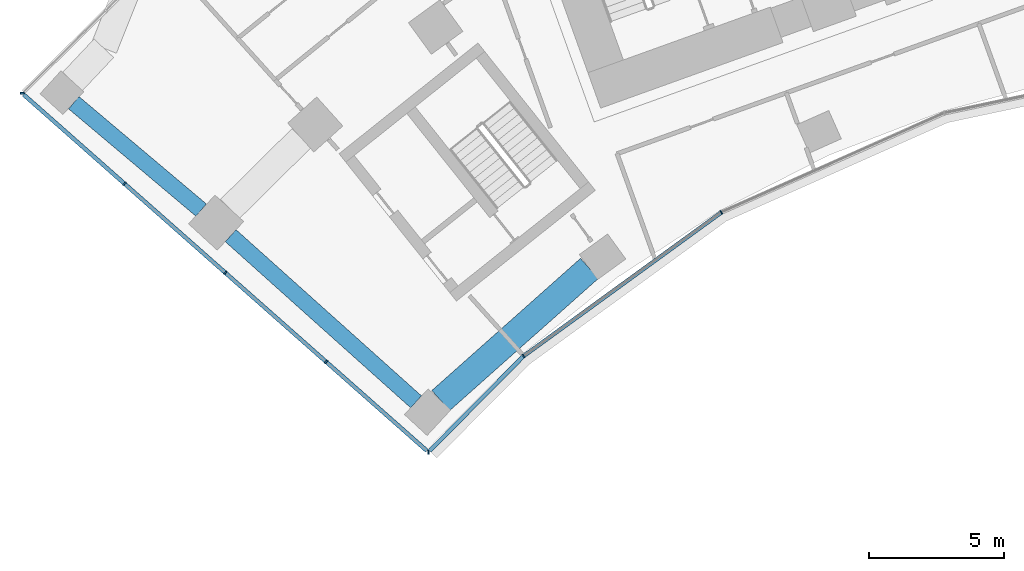
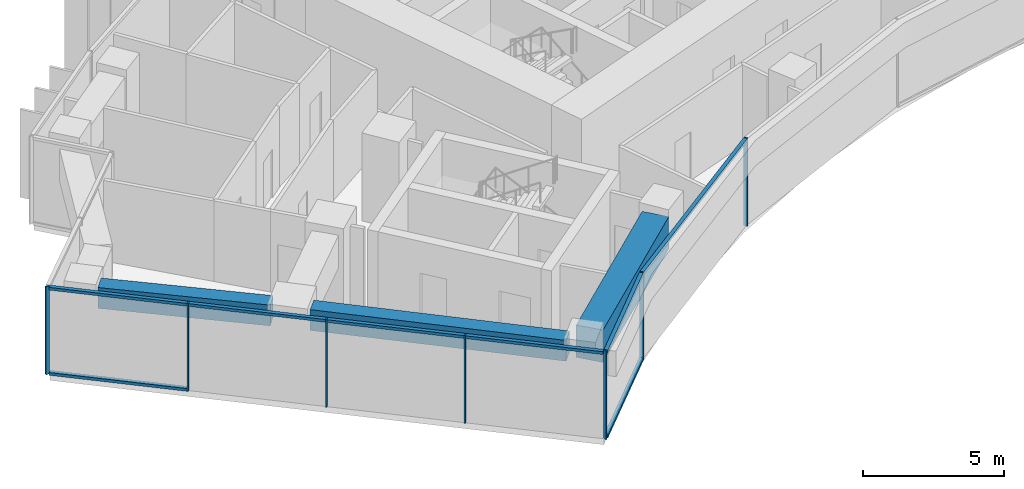
# One storey, part 2 of 22: 15 members, 3 beams, 2 elements without a shape of their own.
"""IFC4 building model written with IfcOpenShell, lengths in metres."""

import ifcopenshell
import ifcopenshell.guid

model = None  # the IFC model being written
_history = None  # IfcOwnerHistory: only IFC2X3 demands one
_inside = {}  # id of a spatial element -> (the spatial element, [elements in it])
_under = {}  # id of a project, library or spatial element -> (it, [spatial elements below it])
_declared = {}  # id of a project -> (the project, [libraries it declares])
_typed = {}  # id of a type object -> (the type object, [elements of that type])
_made_of = {}  # id of a material, layer set ... -> (it, [elements and type objects made of it])


def new_model(schema):
    """Start an empty IFC model of exactly this schema.

    Asked for "IFC4X3", IfcOpenShell would pick the latest addendum, in which some entities
    have other attributes; the version numbers below select the first issue.
    IFC2X3 requires an IfcOwnerHistory on every rooted entity: one is made here for all.
    """
    global model, _history
    if schema == "IFC4X3":
        model = ifcopenshell.file(schema_version=(4, 3, 0, 0))
    else:
        model = ifcopenshell.file(schema=schema)
    _inside.clear()
    _under.clear()
    _declared.clear()
    _typed.clear()
    _made_of.clear()
    _history = None
    if model.schema == "IFC2X3":
        org = make("IfcOrganization", Name="unknown")
        user = make(
            "IfcPersonAndOrganization",
            ThePerson=make("IfcPerson", FamilyName="unknown"),
            TheOrganization=org,
        )
        app = make(
            "IfcApplication",
            ApplicationDeveloper=org,
            Version="unknown",
            ApplicationFullName="unknown",
            ApplicationIdentifier="unknown",
        )
        _history = make(
            "IfcOwnerHistory",
            OwningUser=user,
            OwningApplication=app,
            ChangeAction="ADDED",
            CreationDate=0,
        )
    return model


def make(cls, **values):
    """One entity of the class cls with the attributes given. An attribute that is None is left unset."""
    return model.create_entity(
        cls, **{name: value for name, value in values.items() if value is not None}
    )


def rooted(cls, **values):
    """An entity with a GlobalId (a new one), such as an element, a storey or a relation."""
    return make(cls, GlobalId=ifcopenshell.guid.new(), OwnerHistory=_history, **values)


def si_unit(unit_type, name, prefix=None):
    """IfcSIUnit, for example si_unit("LENGTHUNIT", "METRE", prefix="MILLI")."""
    return make("IfcSIUnit", UnitType=unit_type, Prefix=prefix, Name=name)


def assignment(units):
    """IfcUnitAssignment: the units of a project."""
    return None if units is None else make("IfcUnitAssignment", Units=units)


def point(xyz):
    """IfcCartesianPoint."""
    return None if xyz is None else make("IfcCartesianPoint", Coordinates=xyz)


def direction(xyz):
    """IfcDirection."""
    return None if xyz is None else make("IfcDirection", DirectionRatios=xyz)


def frame(location, z_axis=None, x_axis=None):
    """IfcAxis2Placement3D, a coordinate frame: its origin and axes. An axis left out is left unset."""
    return make(
        "IfcAxis2Placement3D",
        Location=point(location),
        Axis=direction(z_axis),
        RefDirection=direction(x_axis),
    )


def frame_2d(location, x_axis=None):
    """IfcAxis2Placement2D, a coordinate frame in the plane: its origin and x axis."""
    return make(
        "IfcAxis2Placement2D", Location=point(location), RefDirection=direction(x_axis)
    )


def origin():
    """The frame at (0, 0, 0) with its axes left unset."""
    return frame((0.0, 0.0, 0.0))


def origin_2d():
    """The frame at (0, 0) in the plane with its x axis left unset."""
    return frame_2d((0.0, 0.0))


def place(relative_to, where):
    """IfcLocalPlacement: puts the frame where relative to a parent placement (None: the world)."""
    return make(
        "IfcLocalPlacement", PlacementRelTo=relative_to, RelativePlacement=where
    )


def context(
    kind, dimensions, precision=None, world=None, true_north=None, identifier=None
):
    """IfcGeometricRepresentationContext, for example the 3D "Model" context."""
    return make(
        "IfcGeometricRepresentationContext",
        ContextIdentifier=identifier,
        ContextType=kind,
        CoordinateSpaceDimension=dimensions,
        Precision=precision,
        WorldCoordinateSystem=world,
        TrueNorth=true_north,
    )


def subcontext(parent, identifier, kind, view, scale=None):
    """IfcGeometricRepresentationSubContext, for example "Body" below "Model"."""
    return make(
        "IfcGeometricRepresentationSubContext",
        ContextIdentifier=identifier,
        ContextType=kind,
        ParentContext=parent,
        TargetScale=scale,
        TargetView=view,
    )


def project(units=None, contexts=None):
    """IfcProject with its units and contexts."""
    return rooted(
        "IfcProject",
        Name="project",
        RepresentationContexts=contexts,
        UnitsInContext=assignment(units),
    )


def spatial(cls, under=None, at=None, **own):
    """A site, building, storey or space (cls), placed at a placement, below another one or the project."""
    s = rooted(cls, ObjectPlacement=at, **own)
    if under is not None:
        _under.setdefault(under.id(), (under, []))[1].append(s)
    return s


def profile(cls, at=None, kind="AREA", **sizes):
    """A parametric profile (cls). Its sizes go by their IFC names, for example OverallWidth=200.0."""
    return make(cls, ProfileType=kind, Position=at, **sizes)


def rectangle(**sizes):
    """IfcRectangleProfileDef."""
    return profile("IfcRectangleProfileDef", **sizes)


def extrude(swept, where, along, depth):
    """IfcExtrudedAreaSolid: the profile swept, set in the frame where, extruded along a direction by depth."""
    return make(
        "IfcExtrudedAreaSolid",
        SweptArea=swept,
        Position=where,
        ExtrudedDirection=direction(along),
        Depth=depth,
    )


def shape(context_of_items, identifier, shape_type, items):
    """IfcShapeRepresentation: the items that make up one representation, for example the "Body"."""
    return make(
        "IfcShapeRepresentation",
        ContextOfItems=context_of_items,
        RepresentationIdentifier=identifier,
        RepresentationType=shape_type,
        Items=items,
    )


def material(Name=None, Category=None):
    """IfcMaterial."""
    return make("IfcMaterial", Name=Name, Category=Category)


def layer(
    of_material, thickness, ventilated=None, Name=None, Category=None, Priority=None
):
    """IfcMaterialLayer: one layer of a wall or slab, of a material (None: an air gap)."""
    return make(
        "IfcMaterialLayer",
        Material=of_material,
        LayerThickness=thickness,
        IsVentilated=ventilated,
        Name=Name,
        Category=Category,
        Priority=Priority,
    )


def layer_set(layers, Name=None):
    """IfcMaterialLayerSet."""
    return make("IfcMaterialLayerSet", MaterialLayers=layers, LayerSetName=Name)


def material_profile(
    of_material, cross_section, Name=None, Category=None, Priority=None
):
    """IfcMaterialProfile: a cross section and its material."""
    return make(
        "IfcMaterialProfile",
        Name=Name,
        Material=of_material,
        Profile=cross_section,
        Priority=Priority,
        Category=Category,
    )


def profile_set(profiles, Name=None, composite=None):
    """IfcMaterialProfileSet."""
    return make(
        "IfcMaterialProfileSet",
        Name=Name,
        MaterialProfiles=profiles,
        CompositeProfile=composite,
    )


def made_of(thing, what):
    """Note that an element or type object is made of a material, layer set ...; save() writes the relation."""
    if what is not None:
        _made_of.setdefault(what.id(), (what, []))[1].append(thing)
    return thing


def type_object(cls, material=None, **own):
    """A type object (cls), such as IfcWallType, which elements share."""
    return made_of(rooted(cls, **own), material)


def element(
    cls,
    number,
    at=None,
    inside=None,
    cuts=None,
    type_object=None,
    material=None,
    context=None,
    identifier="Body",
    shape_type=None,
    held_by="IfcProductDefinitionShape",
    body=None,
    shapes=None,
    **own,
):
    """One element of the class cls, such as IfcWall. Its Tag is "e" and its number.

    at: its placement. inside: the storey or other place that contains it. cuts: it is an
    opening in that element (IfcRelVoidsElement). A single representation is given by context,
    identifier, shape_type and body (its items); several are given by shapes. held_by: the class
    of the entity that holds the representations. save() writes the other relations.
    """
    e = rooted(cls, Tag="e%d" % number, ObjectPlacement=at, **own)
    if body is not None:
        shapes = [shape(context, identifier, shape_type, body)]
    if shapes is not None:
        e.Representation = make(held_by, Representations=shapes)
    if inside is not None:
        _inside.setdefault(inside.id(), (inside, []))[1].append(e)
    if cuts is not None:
        rooted(
            "IfcRelVoidsElement", RelatingBuildingElement=cuts, RelatedOpeningElement=e
        )
    if type_object is not None:
        _typed.setdefault(type_object.id(), (type_object, []))[1].append(e)
    return made_of(e, material)


def aggregate(whole, parts):
    """IfcRelAggregates: a whole, such as a stair, and the parts it consists of."""
    return rooted("IfcRelAggregates", RelatingObject=whole, RelatedObjects=parts)


def save(model, path):
    """Write the relations noted so far, then the file.

    IfcRelAggregates (storeys below a building ...), IfcRelContainedInSpatialStructure (elements
    in a storey), IfcRelDefinesByType, IfcRelAssociatesMaterial and IfcRelDeclares: one each for
    every whole, place, type object, material and project.
    """
    for whole, parts in _under.values():
        aggregate(whole, parts)
    for where, things in _inside.values():
        rooted(
            "IfcRelContainedInSpatialStructure",
            RelatedElements=things,
            RelatingStructure=where,
        )
    for kind, things in _typed.values():
        rooted("IfcRelDefinesByType", RelatedObjects=things, RelatingType=kind)
    for what, things in _made_of.values():
        rooted("IfcRelAssociatesMaterial", RelatedObjects=things, RelatingMaterial=what)
    for by, libraries in _declared.values():
        rooted("IfcRelDeclares", RelatingContext=by, RelatedDefinitions=libraries)
    model.write(path)


model = new_model("IFC4")

# Units and contexts
model_context = context("Model", 3, precision=1e-05, world=origin(), true_north=direction((0.0, 1.0)))
body_context = subcontext(model_context, "Body", "Model", "MODEL_VIEW")
ifc_project = project(units=[si_unit("LENGTHUNIT", "METRE"), si_unit("AREAUNIT", "SQUARE_METRE"), si_unit("VOLUMEUNIT", "CUBIC_METRE"), si_unit("PLANEANGLEUNIT", "RADIAN"), si_unit("MASSUNIT", "GRAM", prefix="KILO")], contexts=[model_context])

# Site, building, storey
site_placement = place(None, origin())
site = spatial("IfcSite", under=ifc_project, at=site_placement, CompositionType="ELEMENT")
building_placement = place(site_placement, origin())
building = spatial("IfcBuilding", under=site, at=building_placement, Name="Stone Belt Terrace Tower", CompositionType="ELEMENT")
storey_placement = place(building_placement, frame((0.0, 0.0, 121.199951171875)))
storey = spatial("IfcBuildingStorey", under=building, at=storey_placement, Name="L29", CompositionType="ELEMENT", Elevation=121.199951171875)

# Curtain wall, members
ifc_material_1 = material(Name="Aluminium 6063-T6 anodised frame", Category="aluminium")
ifc_layer_1 = layer(ifc_material_1, 0.14990234375)
ifc_layer_set_1 = layer_set([ifc_layer_1], Name="CW-B unitised concave-face curtain wall")
curtain_wall_type_1 = type_object("IfcCurtainWallType", Name="CW-B unitised concave-face curtain wall", PredefinedType="NOTDEFINED", material=ifc_layer_set_1)
curtain_wall_1_placement = place(storey_placement, origin())
curtain_wall_1 = element("IfcCurtainWall", 1, at=curtain_wall_1_placement, inside=storey, type_object=curtain_wall_type_1, Name="CW-B concave face L29", PredefinedType="NOTDEFINED")
ifc_material_profile_1 = material_profile(ifc_material_1, rectangle(XDim=0.14990234375, YDim=0.050048828125, at=origin_2d()), Name="Aluminium 6063-T6 50x150")
ifc_profile_set_1 = profile_set([ifc_material_profile_1], Name="Aluminium 6063-T6 anodised frame")
member_type_1 = type_object("IfcMemberType", Name="CW-B mullion 50 x 150", PredefinedType="MULLION", material=ifc_profile_set_1)
member_1_placement = place(storey_placement, frame((-32.598876953125, 28.695068359375, 0.0), z_axis=(0.0, 0.0, 1.0), x_axis=(-0.03330979067, 0.999445074952, 0.0)))
member_1 = element("IfcMember", 2, at=member_1_placement, type_object=member_type_1, Name="CW-B mullion 1", PredefinedType="MULLION", context=body_context, shape_type="SweptSolid", body=[
    extrude(rectangle(XDim=0.14990234375, YDim=0.050048828125, at=origin_2d()), origin(), (0.0, 0.0, 1.0), 3.800048828125),
])
member_2_placement = place(storey_placement, frame((-29.05810546875, 32.269775390625, 0.0), z_axis=(0.0, 0.0, 1.0), x_axis=(-0.651254965366, 0.758858992229, 0.0)))
member_2 = element("IfcMember", 3, at=member_2_placement, type_object=member_type_1, Name="CW-B mullion 2", PredefinedType="MULLION", context=body_context, shape_type="SweptSolid", body=[
    extrude(rectangle(XDim=0.14990234375, YDim=0.050048828125, at=origin_2d()), origin(), (0.0, 0.0, 1.0), 3.800048828125),
])
member_3_placement = place(storey_placement, frame((-21.71240234375, 37.606689453125, 0.0), z_axis=(0.0, 0.0, 1.0), x_axis=(-0.5, 0.866025403784, 0.0)))
member_3 = element("IfcMember", 4, at=member_3_placement, type_object=member_type_1, Name="CW-B mullion 3", PredefinedType="MULLION", context=body_context, shape_type="SweptSolid", body=[
    extrude(rectangle(XDim=0.14990234375, YDim=0.050048828125, at=origin_2d()), origin(), (0.0, 0.0, 1.0), 3.800048828125),
])
ifc_material_profile_2 = material_profile(ifc_material_1, rectangle(XDim=0.14990234375, YDim=0.1201171875, at=origin_2d()), Name="Aluminium 6063-T6 150x120")
ifc_profile_set_2 = profile_set([ifc_material_profile_2], Name="Aluminium 6063-T6 anodised frame")
member_type_2 = type_object("IfcMemberType", Name="CW-B transom 120 x 150", PredefinedType="USERDEFINED", material=ifc_profile_set_2)
member_4_placement = place(storey_placement, frame((-32.5498046875, 28.74462890625, 0.06005859375), z_axis=(0.703706870473, 0.710490422489, 0.0), x_axis=(-0.710490422489, 0.703706870473, 0.0)))
member_4 = element("IfcMember", 5, at=member_4_placement, type_object=member_type_2, Name="CW-B transom 1.1", ObjectType="TRANSOM", PredefinedType="USERDEFINED", context=body_context, shape_type="SweptSolid", body=[
    extrude(rectangle(XDim=0.14990234375, YDim=0.1201171875, at=origin_2d()), origin(), (0.0, 0.0, 1.0), 4.9306640625),
])
member_5_placement = place(storey_placement, frame((-32.5498046875, 28.74462890625, 3.739990234375), z_axis=(0.703706870473, 0.710490422489, 0.0), x_axis=(-0.710490422489, 0.703706870473, 0.0)))
member_5 = element("IfcMember", 6, at=member_5_placement, type_object=member_type_2, Name="CW-B transom 1.2", ObjectType="TRANSOM", PredefinedType="USERDEFINED", context=body_context, shape_type="SweptSolid", body=[
    extrude(rectangle(XDim=0.14990234375, YDim=0.1201171875, at=origin_2d()), origin(), (0.0, 0.0, 1.0), 4.9306640625),
])
member_6_placement = place(storey_placement, frame((-29.033203125, 32.287841796875, 3.739990234375), z_axis=(0.809012328764, 0.587791673901, 0.0), x_axis=(-0.587791673901, 0.809012328764, 0.0)))
member_6 = element("IfcMember", 7, at=member_6_placement, type_object=member_type_2, Name="CW-B transom 2.1", ObjectType="TRANSOM", PredefinedType="USERDEFINED", context=body_context, shape_type="SweptSolid", body=[
    extrude(rectangle(XDim=0.14990234375, YDim=0.1201171875, at=origin_2d()), origin(), (0.0, 0.0, 1.0), 9.016357421875),
])
aggregate(curtain_wall_1, [member_1, member_2, member_3, member_4, member_5, member_6])

ifc_layer_2 = layer(ifc_material_1, 0.14990234375)
ifc_layer_set_2 = layer_set([ifc_layer_2], Name="CW-C stick curtain wall, horn ends and notches")
curtain_wall_type_2 = type_object("IfcCurtainWallType", Name="CW-C stick curtain wall, horn ends and notches", PredefinedType="NOTDEFINED", material=ifc_layer_set_2)
curtain_wall_2_placement = place(storey_placement, origin())
curtain_wall_2 = element("IfcCurtainWall", 8, at=curtain_wall_2_placement, inside=storey, type_object=curtain_wall_type_2, Name="CW-C end face L29", PredefinedType="NOTDEFINED")
ifc_material_profile_3 = material_profile(ifc_material_1, rectangle(XDim=0.14990234375, YDim=0.06005859375, at=origin_2d()), Name="Aluminium 6063-T6 60x150")
ifc_profile_set_3 = profile_set([ifc_material_profile_3], Name="Aluminium 6063-T6 anodised frame")
member_type_3 = type_object("IfcMemberType", Name="CW-C mullion 60 x 150", PredefinedType="MULLION", material=ifc_profile_set_3)
member_7_placement = place(storey_placement, frame((-47.70166015625, 42.035888671875, 0.0), z_axis=(0.0, 0.0, 1.0), x_axis=(0.99960690559, 0.02803630319, 0.0)))
member_7 = element("IfcMember", 9, at=member_7_placement, type_object=member_type_3, Name="CW-C mullion 1", PredefinedType="MULLION", context=body_context, shape_type="SweptSolid", body=[
    extrude(rectangle(XDim=0.14990234375, YDim=0.06005859375, at=origin_2d()), origin(), (0.0, 0.0, 1.0), 3.800048828125),
])
member_8_placement = place(storey_placement, frame((-43.89404296875, 38.672607421875, 0.0), z_axis=(0.0, 0.0, 1.0), x_axis=(0.662029635427, 0.749477659318, 0.0)))
member_8 = element("IfcMember", 10, at=member_8_placement, type_object=member_type_3, Name="CW-C mullion 2", PredefinedType="MULLION", context=body_context, shape_type="SweptSolid", body=[
    extrude(rectangle(XDim=0.14990234375, YDim=0.06005859375, at=origin_2d()), origin(), (0.0, 0.0, 1.0), 3.800048828125),
])
member_9_placement = place(storey_placement, frame((-40.146728515625, 35.3623046875, 0.0), z_axis=(0.0, 0.0, 1.0), x_axis=(0.662029635427, 0.749477659318, 0.0)))
member_9 = element("IfcMember", 11, at=member_9_placement, type_object=member_type_3, Name="CW-C mullion 3", PredefinedType="MULLION", context=body_context, shape_type="SweptSolid", body=[
    extrude(rectangle(XDim=0.14990234375, YDim=0.06005859375, at=origin_2d()), origin(), (0.0, 0.0, 1.0), 3.800048828125),
])
member_10_placement = place(storey_placement, frame((-36.3994140625, 32.05224609375, 0.0), z_axis=(0.0, 0.0, 1.0), x_axis=(0.662029635427, 0.749477659318, 0.0)))
member_10 = element("IfcMember", 12, at=member_10_placement, type_object=member_type_3, Name="CW-C mullion 4", PredefinedType="MULLION", context=body_context, shape_type="SweptSolid", body=[
    extrude(rectangle(XDim=0.14990234375, YDim=0.06005859375, at=origin_2d()), origin(), (0.0, 0.0, 1.0), 3.800048828125),
])
ifc_material_profile_4 = material_profile(ifc_material_1, rectangle(XDim=0.14990234375, YDim=0.1201171875, at=origin_2d()), Name="Aluminium 6063-T6 150x120")
ifc_profile_set_4 = profile_set([ifc_material_profile_4], Name="Aluminium 6063-T6 anodised frame")
member_type_4 = type_object("IfcMemberType", Name="CW-C transom 120 x 150", PredefinedType="USERDEFINED", material=ifc_profile_set_4)
member_11_placement = place(storey_placement, frame((-47.645263671875, 41.986083984375, 0.06005859375), z_axis=(0.749476864033, -0.66203053576, 0.0), x_axis=(0.66203053576, 0.749476864033, 0.0)))
member_11 = element("IfcMember", 13, at=member_11_placement, type_object=member_type_4, Name="CW-C transom 1.1", ObjectType="TRANSOM", PredefinedType="USERDEFINED", context=body_context, shape_type="SweptSolid", body=[
    extrude(rectangle(XDim=0.14990234375, YDim=0.1201171875, at=origin_2d()), origin(), (0.0, 0.0, 1.0), 4.97509765625),
])
member_12_placement = place(storey_placement, frame((-47.645263671875, 41.986083984375, 3.739990234375), z_axis=(0.749476864033, -0.66203053576, 0.0), x_axis=(0.66203053576, 0.749476864033, 0.0)))
member_12 = element("IfcMember", 14, at=member_12_placement, type_object=member_type_4, Name="CW-C transom 1.2", ObjectType="TRANSOM", PredefinedType="USERDEFINED", context=body_context, shape_type="SweptSolid", body=[
    extrude(rectangle(XDim=0.14990234375, YDim=0.1201171875, at=origin_2d()), origin(), (0.0, 0.0, 1.0), 4.97509765625),
])
member_13_placement = place(storey_placement, frame((-43.87158203125, 38.652587890625, 3.739990234375), z_axis=(0.749491603218, -0.662013849331, 0.0), x_axis=(0.662013849331, 0.749491603218, 0.0)))
member_13 = element("IfcMember", 15, at=member_13_placement, type_object=member_type_4, Name="CW-C transom 2.1", ObjectType="TRANSOM", PredefinedType="USERDEFINED", context=body_context, shape_type="SweptSolid", body=[
    extrude(rectangle(XDim=0.14990234375, YDim=0.1201171875, at=origin_2d()), origin(), (0.0, 0.0, 1.0), 4.93994140625),
])
member_14_placement = place(storey_placement, frame((-40.124267578125, 35.342529296875, 3.739990234375), z_axis=(0.749467081375, -0.662041610426, 0.0), x_axis=(0.662041610426, 0.749467081375, 0.0)))
member_14 = element("IfcMember", 16, at=member_14_placement, type_object=member_type_4, Name="CW-C transom 3.1", ObjectType="TRANSOM", PredefinedType="USERDEFINED", context=body_context, shape_type="SweptSolid", body=[
    extrude(rectangle(XDim=0.14990234375, YDim=0.1201171875, at=origin_2d()), origin(), (0.0, 0.0, 1.0), 4.93994140625),
])
member_15_placement = place(storey_placement, frame((-36.376953125, 32.032470703125, 3.739990234375), z_axis=(0.74946914762, -0.662039271317, 0.0), x_axis=(0.662039271317, 0.74946914762, 0.0)))
member_15 = element("IfcMember", 17, at=member_15_placement, type_object=member_type_4, Name="CW-C transom 4.1", ObjectType="TRANSOM", PredefinedType="USERDEFINED", context=body_context, shape_type="SweptSolid", body=[
    extrude(rectangle(XDim=0.14990234375, YDim=0.1201171875, at=origin_2d()), origin(), (0.0, 0.0, 1.0), 4.9677734375),
])
aggregate(curtain_wall_2, [member_7, member_8, member_9, member_10, member_11, member_12, member_13, member_14, member_15])

# Beams
ifc_material_2 = material(Name="Concrete B60", Category="concrete")
ifc_material_profile_5 = material_profile(ifc_material_2, rectangle(XDim=0.60009765625, YDim=0.89990234375, at=origin_2d()), Name="RC 600x900")
ifc_profile_set_5 = profile_set([ifc_material_profile_5], Name="Concrete B60")
beam_type_1 = type_object("IfcBeamType", Name="Edge beam RC 600x900 B60", PredefinedType="SPANDREL", material=ifc_profile_set_5)
beam_1_placement = place(storey_placement, frame((-33.0546875, 30.564208984375, 3.030029296875), z_axis=(-0.744753401213, 0.667339772067, 0.0), x_axis=(-0.667339772067, -0.744753401213, 0.0)))
element("IfcBeam", 18, at=beam_1_placement, inside=storey, type_object=beam_type_1, Name="Edge beam L29 A P to Q", PredefinedType="SPANDREL", context=body_context, shape_type="SweptSolid", body=[
    extrude(rectangle(XDim=0.60009765625, YDim=0.89990234375, at=origin_2d()), origin(), (0.0, 0.0, 1.0), 9.256103515625),
])
beam_2_placement = place(storey_placement, frame((-41.043212890625, 37.692626953125, 3.030029296875), z_axis=(-0.764730245588, 0.644350565673, 0.0), x_axis=(-0.644350565673, -0.764730245588, 0.0)))
element("IfcBeam", 19, at=beam_2_placement, inside=storey, type_object=beam_type_1, Name="Edge beam L29 A Q to R", PredefinedType="SPANDREL", context=body_context, shape_type="SweptSolid", body=[
    extrude(rectangle(XDim=0.60009765625, YDim=0.89990234375, at=origin_2d()), origin(), (0.0, 0.0, 1.0), 6.19384765625),
])
ifc_material_3 = material(Name="Concrete B80", Category="concrete")
ifc_material_profile_6 = material_profile(ifc_material_3, rectangle(XDim=1.0, YDim=1.39990234375, at=origin_2d()), Name="RC 1000x1400")
ifc_profile_set_6 = profile_set([ifc_material_profile_6], Name="Concrete B80")
beam_type_2 = type_object("IfcBeamType", Name="Transfer beam RC 1000x1400 B80", PredefinedType="BEAM", material=ifc_profile_set_6)
beam_3_placement = place(storey_placement, frame((-32.13818359375, 30.6142578125, 2.780029296875), z_axis=(0.747624322923, 0.66412188021, 0.0), x_axis=(-0.66412188021, 0.747624322923, 0.0)))
element("IfcBeam", 20, at=beam_3_placement, inside=storey, type_object=beam_type_2, Name="Transfer beam L29 PPA-P16", PredefinedType="BEAM", context=body_context, shape_type="SweptSolid", body=[
    extrude(rectangle(XDim=1.0, YDim=1.39990234375, at=origin_2d()), origin(), (0.0, 0.0, 1.0), 7.391357421875),
])

save(model, "model.ifc")
